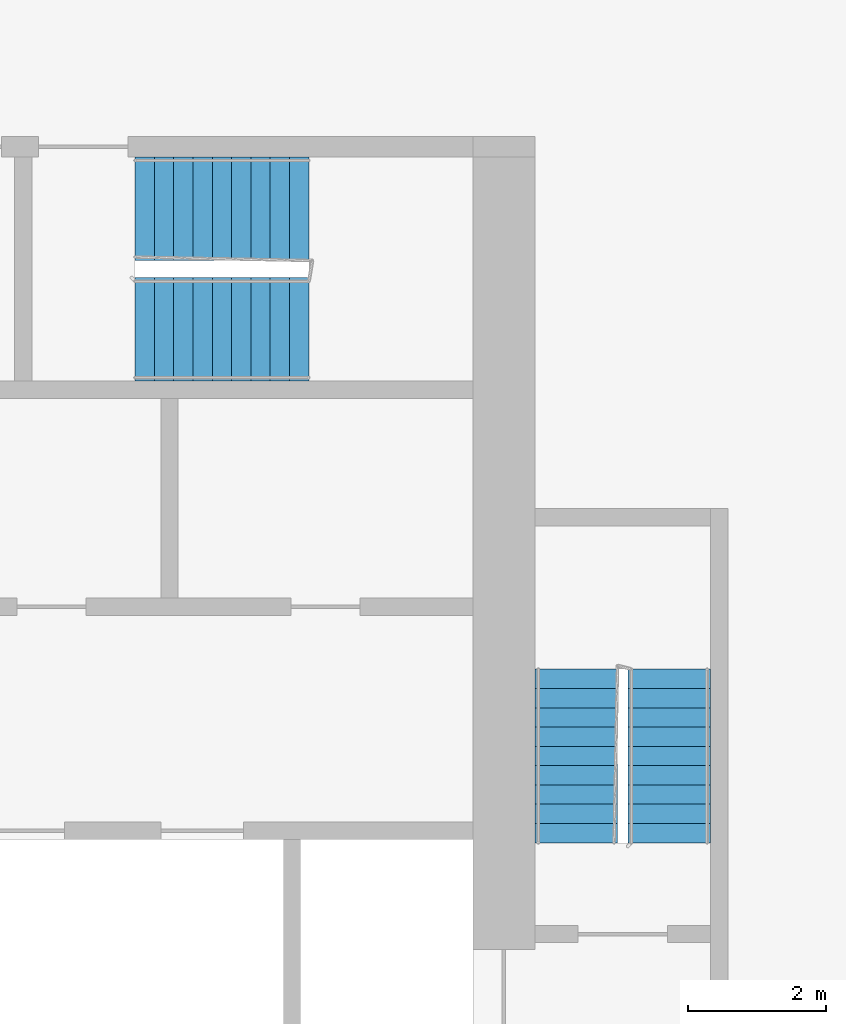
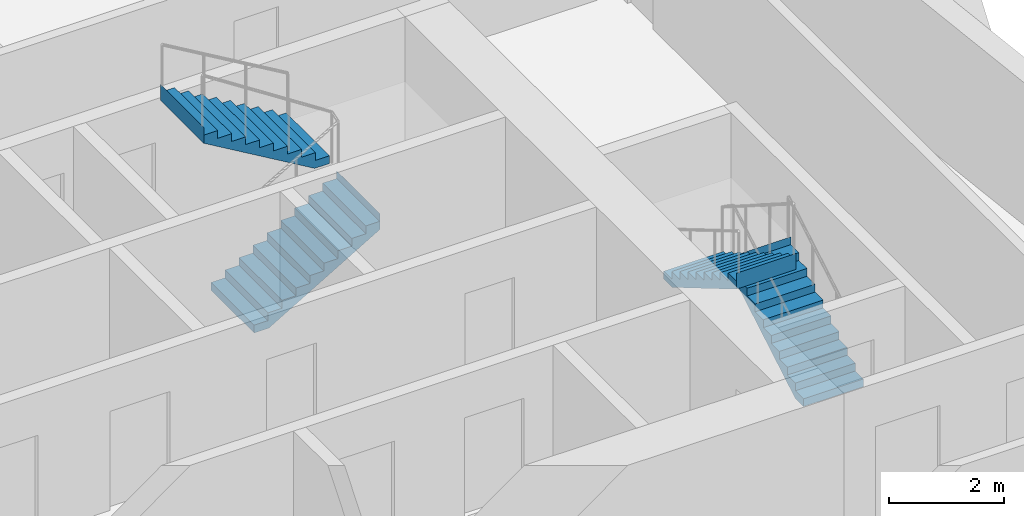
# One storey, part 11 of 13: 4 stair flights, 2 elements without a shape of their own.
"""IFC4 building model written with IfcOpenShell, lengths in metres."""

from ifc_helpers import new_model, si_unit, direction, frame, origin, place, context, subcontext, project, spatial, faceted_brep, material, type_object, element, aggregate, save


model = new_model("IFC4")

# Units and contexts
model_context = context("Model", 3, precision=1e-05, world=origin(), true_north=direction((0.0, 1.0)))
body_context = subcontext(model_context, "Body", "Model", "MODEL_VIEW")
ifc_project = project(units=[si_unit("LENGTHUNIT", "METRE"), si_unit("AREAUNIT", "SQUARE_METRE"), si_unit("VOLUMEUNIT", "CUBIC_METRE"), si_unit("PLANEANGLEUNIT", "RADIAN"), si_unit("MASSUNIT", "GRAM", prefix="KILO")], contexts=[model_context])

# Site, building, storey
site_placement = place(None, origin())
site = spatial("IfcSite", under=ifc_project, at=site_placement, CompositionType="ELEMENT")
building_placement = place(site_placement, origin())
building = spatial("IfcBuilding", under=site, at=building_placement, Name="Kajstack Hotel Tower", CompositionType="ELEMENT")
storey_placement = place(building_placement, frame((0.0, 0.0, 166.89990234375)))
storey = spatial("IfcBuildingStorey", under=building, at=storey_placement, Name="L38", CompositionType="ELEMENT", Elevation=166.89990234375)

# Stair, stair flights
ifc_material = material(Name="Concrete C40/50", Category="concrete")
stair_type_1 = type_object("IfcStairType", Name="Exit stair 1200", PredefinedType="HALF_TURN_STAIR", material=ifc_material)
stair_1_placement = place(storey_placement, origin())
stair_1 = element("IfcStair", 1, at=stair_1_placement, inside=storey, type_object=stair_type_1, Name="L38 stair E1", PredefinedType="HALF_TURN_STAIR")
stair_flight_type_1 = type_object("IfcStairFlightType", Name="Exit stair flight 1200", PredefinedType="STRAIGHT", material=ifc_material)
stair_flight_1_placement = place(storey_placement, frame((33.449951171875, 5.25, 0.0), z_axis=(0.0, 0.0, 1.0), x_axis=(0.0, 1.0, 0.0)))
stair_flight_1 = element("IfcStairFlight", 2, at=stair_flight_1_placement, type_object=stair_flight_type_1, Name="E1 flight 1", NumberOfRisers=10, NumberOfTreads=9, PredefinedType="STRAIGHT", RiserHeight=0.165, TreadLength=0.28, context=body_context, shape_type="Brep", body=[
    faceted_brep([(0.295654296875, -0.60009765625, 0.0), (2.5205078125, -0.60009765625, 1.31103515625), (2.5205078125, -0.60009765625, 1.64990234375), (2.52001953125, -0.60009765625, 1.64990234375), (2.52001953125, -0.60009765625, 1.485107421875), (2.239990234375, -0.60009765625, 1.485107421875), (2.239990234375, -0.60009765625, 1.320068359375), (1.9599609375, -0.60009765625, 1.320068359375), (1.9599609375, -0.60009765625, 1.155029296875), (1.679931640625, -0.60009765625, 1.155029296875), (1.679931640625, -0.60009765625, 0.989990234375), (1.39990234375, -0.60009765625, 0.989990234375), (1.39990234375, -0.60009765625, 0.824951171875), (1.1201171875, -0.60009765625, 0.824951171875), (1.1201171875, -0.60009765625, 0.659912109375), (0.840087890625, -0.60009765625, 0.659912109375), (0.840087890625, -0.60009765625, 0.4951171875), (0.56005859375, -0.60009765625, 0.4951171875), (0.56005859375, -0.60009765625, 0.330078125), (0.280029296875, -0.60009765625, 0.330078125), (0.280029296875, -0.60009765625, 0.1650390625), (-0.00048828125, -0.60009765625, 0.1650390625), (-0.00048828125, -0.60009765625, 0.0), (-0.00048828125, 0.60009765625, 0.0), (-0.00048828125, 0.60009765625, 0.1650390625), (0.280029296875, 0.60009765625, 0.1650390625), (0.280029296875, 0.60009765625, 0.330078125), (0.56005859375, 0.60009765625, 0.330078125), (0.56005859375, 0.60009765625, 0.4951171875), (0.840087890625, 0.60009765625, 0.4951171875), (0.840087890625, 0.60009765625, 0.659912109375), (1.1201171875, 0.60009765625, 0.659912109375), (1.1201171875, 0.60009765625, 0.824951171875), (1.39990234375, 0.60009765625, 0.824951171875), (1.39990234375, 0.60009765625, 0.989990234375), (1.679931640625, 0.60009765625, 0.989990234375), (1.679931640625, 0.60009765625, 1.155029296875), (1.9599609375, 0.60009765625, 1.155029296875), (1.9599609375, 0.60009765625, 1.320068359375), (2.239990234375, 0.60009765625, 1.320068359375), (2.239990234375, 0.60009765625, 1.485107421875), (2.52001953125, 0.60009765625, 1.485107421875), (2.52001953125, 0.60009765625, 1.64990234375), (2.5205078125, 0.60009765625, 1.64990234375), (2.5205078125, 0.60009765625, 1.31103515625), (0.295654296875, 0.60009765625, 0.0), (-0.00048828125, -0.300048828125, 0.1650390625), (-0.00048828125, 0.0, 0.1650390625), (-0.00048828125, 0.300048828125, 0.1650390625), (-0.00048828125, 0.300048828125, 0.0), (-0.00048828125, 0.0, 0.0), (-0.00048828125, -0.300048828125, 0.0), (0.280029296875, -0.300048828125, 0.1650390625), (0.280029296875, 0.0, 0.1650390625), (0.280029296875, 0.300048828125, 0.1650390625), (0.280029296875, -0.300048828125, 0.330078125), (0.280029296875, 0.0, 0.330078125), (0.280029296875, 0.300048828125, 0.330078125), (0.56005859375, -0.300048828125, 0.330078125), (0.56005859375, 0.0, 0.330078125), (0.56005859375, 0.300048828125, 0.330078125), (0.56005859375, -0.300048828125, 0.4951171875), (0.56005859375, 0.0, 0.4951171875), (0.56005859375, 0.300048828125, 0.4951171875), (0.840087890625, -0.300048828125, 0.4951171875), (0.840087890625, 0.0, 0.4951171875), (0.840087890625, 0.300048828125, 0.4951171875), (0.840087890625, -0.300048828125, 0.659912109375), (0.840087890625, 0.0, 0.659912109375), (0.840087890625, 0.300048828125, 0.659912109375), (1.1201171875, -0.300048828125, 0.659912109375), (1.1201171875, 0.0, 0.659912109375), (1.1201171875, 0.300048828125, 0.659912109375), (1.1201171875, -0.300048828125, 0.824951171875), (1.1201171875, 0.0, 0.824951171875), (1.1201171875, 0.300048828125, 0.824951171875), (1.39990234375, -0.300048828125, 0.824951171875), (1.39990234375, 0.0, 0.824951171875), (1.39990234375, 0.300048828125, 0.824951171875), (1.39990234375, -0.300048828125, 0.989990234375), (1.39990234375, 0.0, 0.989990234375), (1.39990234375, 0.300048828125, 0.989990234375), (1.679931640625, -0.300048828125, 0.989990234375), (1.679931640625, 0.0, 0.989990234375), (1.679931640625, 0.300048828125, 0.989990234375), (1.679931640625, -0.300048828125, 1.155029296875), (1.679931640625, 0.0, 1.155029296875), (1.679931640625, 0.300048828125, 1.155029296875), (1.9599609375, -0.300048828125, 1.155029296875), (1.9599609375, 0.0, 1.155029296875), (1.9599609375, 0.300048828125, 1.155029296875), (1.9599609375, -0.300048828125, 1.320068359375), (1.9599609375, 0.0, 1.320068359375), (1.9599609375, 0.300048828125, 1.320068359375), (2.239990234375, -0.300048828125, 1.320068359375), (2.239990234375, 0.0, 1.320068359375), (2.239990234375, 0.300048828125, 1.320068359375), (2.239990234375, -0.300048828125, 1.485107421875), (2.239990234375, 0.0, 1.485107421875), (2.239990234375, 0.300048828125, 1.485107421875), (2.52001953125, -0.300048828125, 1.485107421875), (2.52001953125, 0.0, 1.485107421875), (2.52001953125, 0.300048828125, 1.485107421875), (2.52001953125, -0.300048828125, 1.64990234375), (2.52001953125, 0.0, 1.64990234375), (2.52001953125, 0.300048828125, 1.64990234375), (2.5205078125, -0.300048828125, 1.64990234375), (2.5205078125, 0.0, 1.64990234375), (2.5205078125, 0.300048828125, 1.64990234375), (2.5205078125, -0.300048828125, 1.31103515625), (2.5205078125, 0.0, 1.31103515625), (2.5205078125, 0.300048828125, 1.31103515625), (0.295654296875, -0.300048828125, 0.0), (0.295654296875, 0.0, 0.0), (0.295654296875, 0.300048828125, 0.0)], [[[0, 1, 2, 3, 4, 5, 6, 7, 8, 9, 10, 11, 12, 13, 14, 15, 16, 17, 18, 19, 20, 21, 22]], [[23, 24, 25, 26, 27, 28, 29, 30, 31, 32, 33, 34, 35, 36, 37, 38, 39, 40, 41, 42, 43, 44, 45]], [[21, 46, 47, 48, 24, 23, 49, 50, 51, 22]], [[20, 52, 53, 54, 25, 24, 48, 47, 46, 21]], [[19, 55, 56, 57, 26, 25, 54, 53, 52, 20]], [[18, 58, 59, 60, 27, 26, 57, 56, 55, 19]], [[17, 61, 62, 63, 28, 27, 60, 59, 58, 18]], [[16, 64, 65, 66, 29, 28, 63, 62, 61, 17]], [[15, 67, 68, 69, 30, 29, 66, 65, 64, 16]], [[14, 70, 71, 72, 31, 30, 69, 68, 67, 15]], [[13, 73, 74, 75, 32, 31, 72, 71, 70, 14]], [[12, 76, 77, 78, 33, 32, 75, 74, 73, 13]], [[11, 79, 80, 81, 34, 33, 78, 77, 76, 12]], [[10, 82, 83, 84, 35, 34, 81, 80, 79, 11]], [[9, 85, 86, 87, 36, 35, 84, 83, 82, 10]], [[8, 88, 89, 90, 37, 36, 87, 86, 85, 9]], [[7, 91, 92, 93, 38, 37, 90, 89, 88, 8]], [[6, 94, 95, 96, 39, 38, 93, 92, 91, 7]], [[5, 97, 98, 99, 40, 39, 96, 95, 94, 6]], [[4, 100, 101, 102, 41, 40, 99, 98, 97, 5]], [[3, 103, 104, 105, 42, 41, 102, 101, 100, 4]], [[2, 106, 107, 108, 43, 42, 105, 104, 103, 3]], [[1, 109, 110, 111, 44, 43, 108, 107, 106, 2]], [[0, 112, 113, 114, 45, 44, 111, 110, 109, 1]], [[22, 51, 50, 49, 23, 45, 114, 113, 112, 0]]]),
])
stair_flight_2_placement = place(storey_placement, frame((32.10009765625, 7.77001953125, 1.650146484375), z_axis=(0.0, 0.0, 1.0), x_axis=(0.0, -1.0, 0.0)))
stair_flight_2 = element("IfcStairFlight", 3, at=stair_flight_2_placement, type_object=stair_flight_type_1, Name="E1 flight 2", NumberOfRisers=10, NumberOfTreads=9, PredefinedType="STRAIGHT", RiserHeight=0.165, TreadLength=0.28, context=body_context, shape_type="Brep", body=[
    faceted_brep([(0.295654296875, -0.60009765625, 0.0), (2.5205078125, -0.60009765625, 1.31103515625), (2.5205078125, -0.60009765625, 1.64990234375), (2.52001953125, -0.60009765625, 1.64990234375), (2.52001953125, -0.60009765625, 1.485107421875), (2.239990234375, -0.60009765625, 1.485107421875), (2.239990234375, -0.60009765625, 1.320068359375), (1.9599609375, -0.60009765625, 1.320068359375), (1.9599609375, -0.60009765625, 1.155029296875), (1.679931640625, -0.60009765625, 1.155029296875), (1.679931640625, -0.60009765625, 0.989990234375), (1.39990234375, -0.60009765625, 0.989990234375), (1.39990234375, -0.60009765625, 0.824951171875), (1.1201171875, -0.60009765625, 0.824951171875), (1.1201171875, -0.60009765625, 0.659912109375), (0.840087890625, -0.60009765625, 0.659912109375), (0.840087890625, -0.60009765625, 0.4951171875), (0.56005859375, -0.60009765625, 0.4951171875), (0.56005859375, -0.60009765625, 0.330078125), (0.280029296875, -0.60009765625, 0.330078125), (0.280029296875, -0.60009765625, 0.1650390625), (-0.00048828125, -0.60009765625, 0.1650390625), (-0.00048828125, -0.60009765625, 0.0), (-0.00048828125, 0.60009765625, 0.0), (-0.00048828125, 0.60009765625, 0.1650390625), (0.280029296875, 0.60009765625, 0.1650390625), (0.280029296875, 0.60009765625, 0.330078125), (0.56005859375, 0.60009765625, 0.330078125), (0.56005859375, 0.60009765625, 0.4951171875), (0.840087890625, 0.60009765625, 0.4951171875), (0.840087890625, 0.60009765625, 0.659912109375), (1.1201171875, 0.60009765625, 0.659912109375), (1.1201171875, 0.60009765625, 0.824951171875), (1.39990234375, 0.60009765625, 0.824951171875), (1.39990234375, 0.60009765625, 0.989990234375), (1.679931640625, 0.60009765625, 0.989990234375), (1.679931640625, 0.60009765625, 1.155029296875), (1.9599609375, 0.60009765625, 1.155029296875), (1.9599609375, 0.60009765625, 1.320068359375), (2.239990234375, 0.60009765625, 1.320068359375), (2.239990234375, 0.60009765625, 1.485107421875), (2.52001953125, 0.60009765625, 1.485107421875), (2.52001953125, 0.60009765625, 1.64990234375), (2.5205078125, 0.60009765625, 1.64990234375), (2.5205078125, 0.60009765625, 1.31103515625), (0.295654296875, 0.60009765625, 0.0), (-0.00048828125, -0.300048828125, 0.1650390625), (-0.00048828125, 0.0, 0.1650390625), (-0.00048828125, 0.300048828125, 0.1650390625), (-0.00048828125, 0.300048828125, 0.0), (-0.00048828125, 0.0, 0.0), (-0.00048828125, -0.300048828125, 0.0), (0.280029296875, -0.300048828125, 0.1650390625), (0.280029296875, 0.0, 0.1650390625), (0.280029296875, 0.300048828125, 0.1650390625), (0.280029296875, -0.300048828125, 0.330078125), (0.280029296875, 0.0, 0.330078125), (0.280029296875, 0.300048828125, 0.330078125), (0.56005859375, -0.300048828125, 0.330078125), (0.56005859375, 0.0, 0.330078125), (0.56005859375, 0.300048828125, 0.330078125), (0.56005859375, -0.300048828125, 0.4951171875), (0.56005859375, 0.0, 0.4951171875), (0.56005859375, 0.300048828125, 0.4951171875), (0.840087890625, -0.300048828125, 0.4951171875), (0.840087890625, 0.0, 0.4951171875), (0.840087890625, 0.300048828125, 0.4951171875), (0.840087890625, -0.300048828125, 0.659912109375), (0.840087890625, 0.0, 0.659912109375), (0.840087890625, 0.300048828125, 0.659912109375), (1.1201171875, -0.300048828125, 0.659912109375), (1.1201171875, 0.0, 0.659912109375), (1.1201171875, 0.300048828125, 0.659912109375), (1.1201171875, -0.300048828125, 0.824951171875), (1.1201171875, 0.0, 0.824951171875), (1.1201171875, 0.300048828125, 0.824951171875), (1.39990234375, -0.300048828125, 0.824951171875), (1.39990234375, 0.0, 0.824951171875), (1.39990234375, 0.300048828125, 0.824951171875), (1.39990234375, -0.300048828125, 0.989990234375), (1.39990234375, 0.0, 0.989990234375), (1.39990234375, 0.300048828125, 0.989990234375), (1.679931640625, -0.300048828125, 0.989990234375), (1.679931640625, 0.0, 0.989990234375), (1.679931640625, 0.300048828125, 0.989990234375), (1.679931640625, -0.300048828125, 1.155029296875), (1.679931640625, 0.0, 1.155029296875), (1.679931640625, 0.300048828125, 1.155029296875), (1.9599609375, -0.300048828125, 1.155029296875), (1.9599609375, 0.0, 1.155029296875), (1.9599609375, 0.300048828125, 1.155029296875), (1.9599609375, -0.300048828125, 1.320068359375), (1.9599609375, 0.0, 1.320068359375), (1.9599609375, 0.300048828125, 1.320068359375), (2.239990234375, -0.300048828125, 1.320068359375), (2.239990234375, 0.0, 1.320068359375), (2.239990234375, 0.300048828125, 1.320068359375), (2.239990234375, -0.300048828125, 1.485107421875), (2.239990234375, 0.0, 1.485107421875), (2.239990234375, 0.300048828125, 1.485107421875), (2.52001953125, -0.300048828125, 1.485107421875), (2.52001953125, 0.0, 1.485107421875), (2.52001953125, 0.300048828125, 1.485107421875), (2.52001953125, -0.300048828125, 1.64990234375), (2.52001953125, 0.0, 1.64990234375), (2.52001953125, 0.300048828125, 1.64990234375), (2.5205078125, -0.300048828125, 1.64990234375), (2.5205078125, 0.0, 1.64990234375), (2.5205078125, 0.300048828125, 1.64990234375), (2.5205078125, -0.300048828125, 1.31103515625), (2.5205078125, 0.0, 1.31103515625), (2.5205078125, 0.300048828125, 1.31103515625), (0.295654296875, -0.300048828125, 0.0), (0.295654296875, 0.0, 0.0), (0.295654296875, 0.300048828125, 0.0)], [[[0, 1, 2, 3, 4, 5, 6, 7, 8, 9, 10, 11, 12, 13, 14, 15, 16, 17, 18, 19, 20, 21, 22]], [[23, 24, 25, 26, 27, 28, 29, 30, 31, 32, 33, 34, 35, 36, 37, 38, 39, 40, 41, 42, 43, 44, 45]], [[21, 46, 47, 48, 24, 23, 49, 50, 51, 22]], [[20, 52, 53, 54, 25, 24, 48, 47, 46, 21]], [[19, 55, 56, 57, 26, 25, 54, 53, 52, 20]], [[18, 58, 59, 60, 27, 26, 57, 56, 55, 19]], [[17, 61, 62, 63, 28, 27, 60, 59, 58, 18]], [[16, 64, 65, 66, 29, 28, 63, 62, 61, 17]], [[15, 67, 68, 69, 30, 29, 66, 65, 64, 16]], [[14, 70, 71, 72, 31, 30, 69, 68, 67, 15]], [[13, 73, 74, 75, 32, 31, 72, 71, 70, 14]], [[12, 76, 77, 78, 33, 32, 75, 74, 73, 13]], [[11, 79, 80, 81, 34, 33, 78, 77, 76, 12]], [[10, 82, 83, 84, 35, 34, 81, 80, 79, 11]], [[9, 85, 86, 87, 36, 35, 84, 83, 82, 10]], [[8, 88, 89, 90, 37, 36, 87, 86, 85, 9]], [[7, 91, 92, 93, 38, 37, 90, 89, 88, 8]], [[6, 94, 95, 96, 39, 38, 93, 92, 91, 7]], [[5, 97, 98, 99, 40, 39, 96, 95, 94, 6]], [[4, 100, 101, 102, 41, 40, 99, 98, 97, 5]], [[3, 103, 104, 105, 42, 41, 102, 101, 100, 4]], [[2, 106, 107, 108, 43, 42, 105, 104, 103, 3]], [[1, 109, 110, 111, 44, 43, 108, 107, 106, 2]], [[0, 112, 113, 114, 45, 44, 111, 110, 109, 1]], [[22, 51, 50, 49, 23, 45, 114, 113, 112, 0]]]),
])
aggregate(stair_1, [stair_flight_1, stair_flight_2])

stair_type_2 = type_object("IfcStairType", Name="Exit stair 1500", PredefinedType="HALF_TURN_STAIR", material=ifc_material)
stair_2_placement = place(storey_placement, origin())
stair_2 = element("IfcStair", 4, at=stair_2_placement, inside=storey, type_object=stair_type_2, Name="L38 stair E3", PredefinedType="HALF_TURN_STAIR")
stair_flight_type_2 = type_object("IfcStairFlightType", Name="Exit stair flight 1500", PredefinedType="STRAIGHT", material=ifc_material)
stair_flight_3_placement = place(storey_placement, frame((25.699951171875, 12.699951171875, 0.0), z_axis=(0.0, 0.0, 1.0), x_axis=(1.0, 0.0, 0.0)))
stair_flight_3 = element("IfcStairFlight", 5, at=stair_flight_3_placement, type_object=stair_flight_type_2, Name="E3 flight 1", NumberOfRisers=10, NumberOfTreads=9, PredefinedType="STRAIGHT", RiserHeight=0.165, TreadLength=0.28, context=body_context, shape_type="Brep", body=[
    faceted_brep([(0.295654296875, -0.75, 0.0), (2.5205078125, -0.75, 1.31103515625), (2.5205078125, -0.75, 1.64990234375), (2.52001953125, -0.75, 1.64990234375), (2.52001953125, -0.75, 1.485107421875), (2.239990234375, -0.75, 1.485107421875), (2.239990234375, -0.75, 1.320068359375), (1.9599609375, -0.75, 1.320068359375), (1.9599609375, -0.75, 1.155029296875), (1.679931640625, -0.75, 1.155029296875), (1.679931640625, -0.75, 0.989990234375), (1.39990234375, -0.75, 0.989990234375), (1.39990234375, -0.75, 0.824951171875), (1.1201171875, -0.75, 0.824951171875), (1.1201171875, -0.75, 0.659912109375), (0.840087890625, -0.75, 0.659912109375), (0.840087890625, -0.75, 0.4951171875), (0.56005859375, -0.75, 0.4951171875), (0.56005859375, -0.75, 0.330078125), (0.280029296875, -0.75, 0.330078125), (0.280029296875, -0.75, 0.1650390625), (-0.00048828125, -0.75, 0.1650390625), (-0.00048828125, -0.75, 0.0), (-0.00048828125, 0.75, 0.0), (-0.00048828125, 0.75, 0.1650390625), (0.280029296875, 0.75, 0.1650390625), (0.280029296875, 0.75, 0.330078125), (0.56005859375, 0.75, 0.330078125), (0.56005859375, 0.75, 0.4951171875), (0.840087890625, 0.75, 0.4951171875), (0.840087890625, 0.75, 0.659912109375), (1.1201171875, 0.75, 0.659912109375), (1.1201171875, 0.75, 0.824951171875), (1.39990234375, 0.75, 0.824951171875), (1.39990234375, 0.75, 0.989990234375), (1.679931640625, 0.75, 0.989990234375), (1.679931640625, 0.75, 1.155029296875), (1.9599609375, 0.75, 1.155029296875), (1.9599609375, 0.75, 1.320068359375), (2.239990234375, 0.75, 1.320068359375), (2.239990234375, 0.75, 1.485107421875), (2.52001953125, 0.75, 1.485107421875), (2.52001953125, 0.75, 1.64990234375), (2.5205078125, 0.75, 1.64990234375), (2.5205078125, 0.75, 1.31103515625), (0.295654296875, 0.75, 0.0), (-0.00048828125, -0.375, 0.1650390625), (-0.00048828125, 0.0, 0.1650390625), (-0.00048828125, 0.375, 0.1650390625), (-0.00048828125, 0.375, 0.0), (-0.00048828125, 0.0, 0.0), (-0.00048828125, -0.375, 0.0), (0.280029296875, -0.375, 0.1650390625), (0.280029296875, 0.0, 0.1650390625), (0.280029296875, 0.375, 0.1650390625), (0.280029296875, -0.375, 0.330078125), (0.280029296875, 0.0, 0.330078125), (0.280029296875, 0.375, 0.330078125), (0.56005859375, -0.375, 0.330078125), (0.56005859375, 0.0, 0.330078125), (0.56005859375, 0.375, 0.330078125), (0.56005859375, -0.375, 0.4951171875), (0.56005859375, 0.0, 0.4951171875), (0.56005859375, 0.375, 0.4951171875), (0.840087890625, -0.375, 0.4951171875), (0.840087890625, 0.0, 0.4951171875), (0.840087890625, 0.375, 0.4951171875), (0.840087890625, -0.375, 0.659912109375), (0.840087890625, 0.0, 0.659912109375), (0.840087890625, 0.375, 0.659912109375), (1.1201171875, -0.375, 0.659912109375), (1.1201171875, 0.0, 0.659912109375), (1.1201171875, 0.375, 0.659912109375), (1.1201171875, -0.375, 0.824951171875), (1.1201171875, 0.0, 0.824951171875), (1.1201171875, 0.375, 0.824951171875), (1.39990234375, -0.375, 0.824951171875), (1.39990234375, 0.0, 0.824951171875), (1.39990234375, 0.375, 0.824951171875), (1.39990234375, -0.375, 0.989990234375), (1.39990234375, 0.0, 0.989990234375), (1.39990234375, 0.375, 0.989990234375), (1.679931640625, -0.375, 0.989990234375), (1.679931640625, 0.0, 0.989990234375), (1.679931640625, 0.375, 0.989990234375), (1.679931640625, -0.375, 1.155029296875), (1.679931640625, 0.0, 1.155029296875), (1.679931640625, 0.375, 1.155029296875), (1.9599609375, -0.375, 1.155029296875), (1.9599609375, 0.0, 1.155029296875), (1.9599609375, 0.375, 1.155029296875), (1.9599609375, -0.375, 1.320068359375), (1.9599609375, 0.0, 1.320068359375), (1.9599609375, 0.375, 1.320068359375), (2.239990234375, -0.375, 1.320068359375), (2.239990234375, 0.0, 1.320068359375), (2.239990234375, 0.375, 1.320068359375), (2.239990234375, -0.375, 1.485107421875), (2.239990234375, 0.0, 1.485107421875), (2.239990234375, 0.375, 1.485107421875), (2.52001953125, -0.375, 1.485107421875), (2.52001953125, 0.0, 1.485107421875), (2.52001953125, 0.375, 1.485107421875), (2.52001953125, -0.375, 1.64990234375), (2.52001953125, 0.0, 1.64990234375), (2.52001953125, 0.375, 1.64990234375), (2.5205078125, -0.375, 1.64990234375), (2.5205078125, 0.0, 1.64990234375), (2.5205078125, 0.375, 1.64990234375), (2.5205078125, -0.375, 1.31103515625), (2.5205078125, 0.0, 1.31103515625), (2.5205078125, 0.375, 1.31103515625), (0.295654296875, -0.375, 0.0), (0.295654296875, 0.0, 0.0), (0.295654296875, 0.375, 0.0)], [[[0, 1, 2, 3, 4, 5, 6, 7, 8, 9, 10, 11, 12, 13, 14, 15, 16, 17, 18, 19, 20, 21, 22]], [[23, 24, 25, 26, 27, 28, 29, 30, 31, 32, 33, 34, 35, 36, 37, 38, 39, 40, 41, 42, 43, 44, 45]], [[21, 46, 47, 48, 24, 23, 49, 50, 51, 22]], [[20, 52, 53, 54, 25, 24, 48, 47, 46, 21]], [[19, 55, 56, 57, 26, 25, 54, 53, 52, 20]], [[18, 58, 59, 60, 27, 26, 57, 56, 55, 19]], [[17, 61, 62, 63, 28, 27, 60, 59, 58, 18]], [[16, 64, 65, 66, 29, 28, 63, 62, 61, 17]], [[15, 67, 68, 69, 30, 29, 66, 65, 64, 16]], [[14, 70, 71, 72, 31, 30, 69, 68, 67, 15]], [[13, 73, 74, 75, 32, 31, 72, 71, 70, 14]], [[12, 76, 77, 78, 33, 32, 75, 74, 73, 13]], [[11, 79, 80, 81, 34, 33, 78, 77, 76, 12]], [[10, 82, 83, 84, 35, 34, 81, 80, 79, 11]], [[9, 85, 86, 87, 36, 35, 84, 83, 82, 10]], [[8, 88, 89, 90, 37, 36, 87, 86, 85, 9]], [[7, 91, 92, 93, 38, 37, 90, 89, 88, 8]], [[6, 94, 95, 96, 39, 38, 93, 92, 91, 7]], [[5, 97, 98, 99, 40, 39, 96, 95, 94, 6]], [[4, 100, 101, 102, 41, 40, 99, 98, 97, 5]], [[3, 103, 104, 105, 42, 41, 102, 101, 100, 4]], [[2, 106, 107, 108, 43, 42, 105, 104, 103, 3]], [[1, 109, 110, 111, 44, 43, 108, 107, 106, 2]], [[0, 112, 113, 114, 45, 44, 111, 110, 109, 1]], [[22, 51, 50, 49, 23, 45, 114, 113, 112, 0]]]),
])
stair_flight_4_placement = place(storey_placement, frame((28.219970703125, 14.449951171875, 1.650146484375), z_axis=(0.0, 0.0, 1.0), x_axis=(-1.0, 0.0, 0.0)))
stair_flight_4 = element("IfcStairFlight", 6, at=stair_flight_4_placement, type_object=stair_flight_type_2, Name="E3 flight 2", NumberOfRisers=10, NumberOfTreads=9, PredefinedType="STRAIGHT", RiserHeight=0.165, TreadLength=0.28, context=body_context, shape_type="Brep", body=[
    faceted_brep([(0.295654296875, -0.75, 0.0), (2.5205078125, -0.75, 1.31103515625), (2.5205078125, -0.75, 1.64990234375), (2.52001953125, -0.75, 1.64990234375), (2.52001953125, -0.75, 1.485107421875), (2.239990234375, -0.75, 1.485107421875), (2.239990234375, -0.75, 1.320068359375), (1.9599609375, -0.75, 1.320068359375), (1.9599609375, -0.75, 1.155029296875), (1.679931640625, -0.75, 1.155029296875), (1.679931640625, -0.75, 0.989990234375), (1.39990234375, -0.75, 0.989990234375), (1.39990234375, -0.75, 0.824951171875), (1.1201171875, -0.75, 0.824951171875), (1.1201171875, -0.75, 0.659912109375), (0.840087890625, -0.75, 0.659912109375), (0.840087890625, -0.75, 0.4951171875), (0.56005859375, -0.75, 0.4951171875), (0.56005859375, -0.75, 0.330078125), (0.280029296875, -0.75, 0.330078125), (0.280029296875, -0.75, 0.1650390625), (-0.00048828125, -0.75, 0.1650390625), (-0.00048828125, -0.75, 0.0), (-0.00048828125, 0.75, 0.0), (-0.00048828125, 0.75, 0.1650390625), (0.280029296875, 0.75, 0.1650390625), (0.280029296875, 0.75, 0.330078125), (0.56005859375, 0.75, 0.330078125), (0.56005859375, 0.75, 0.4951171875), (0.840087890625, 0.75, 0.4951171875), (0.840087890625, 0.75, 0.659912109375), (1.1201171875, 0.75, 0.659912109375), (1.1201171875, 0.75, 0.824951171875), (1.39990234375, 0.75, 0.824951171875), (1.39990234375, 0.75, 0.989990234375), (1.679931640625, 0.75, 0.989990234375), (1.679931640625, 0.75, 1.155029296875), (1.9599609375, 0.75, 1.155029296875), (1.9599609375, 0.75, 1.320068359375), (2.239990234375, 0.75, 1.320068359375), (2.239990234375, 0.75, 1.485107421875), (2.52001953125, 0.75, 1.485107421875), (2.52001953125, 0.75, 1.64990234375), (2.5205078125, 0.75, 1.64990234375), (2.5205078125, 0.75, 1.31103515625), (0.295654296875, 0.75, 0.0), (-0.00048828125, -0.375, 0.1650390625), (-0.00048828125, 0.0, 0.1650390625), (-0.00048828125, 0.375, 0.1650390625), (-0.00048828125, 0.375, 0.0), (-0.00048828125, 0.0, 0.0), (-0.00048828125, -0.375, 0.0), (0.280029296875, -0.375, 0.1650390625), (0.280029296875, 0.0, 0.1650390625), (0.280029296875, 0.375, 0.1650390625), (0.280029296875, -0.375, 0.330078125), (0.280029296875, 0.0, 0.330078125), (0.280029296875, 0.375, 0.330078125), (0.56005859375, -0.375, 0.330078125), (0.56005859375, 0.0, 0.330078125), (0.56005859375, 0.375, 0.330078125), (0.56005859375, -0.375, 0.4951171875), (0.56005859375, 0.0, 0.4951171875), (0.56005859375, 0.375, 0.4951171875), (0.840087890625, -0.375, 0.4951171875), (0.840087890625, 0.0, 0.4951171875), (0.840087890625, 0.375, 0.4951171875), (0.840087890625, -0.375, 0.659912109375), (0.840087890625, 0.0, 0.659912109375), (0.840087890625, 0.375, 0.659912109375), (1.1201171875, -0.375, 0.659912109375), (1.1201171875, 0.0, 0.659912109375), (1.1201171875, 0.375, 0.659912109375), (1.1201171875, -0.375, 0.824951171875), (1.1201171875, 0.0, 0.824951171875), (1.1201171875, 0.375, 0.824951171875), (1.39990234375, -0.375, 0.824951171875), (1.39990234375, 0.0, 0.824951171875), (1.39990234375, 0.375, 0.824951171875), (1.39990234375, -0.375, 0.989990234375), (1.39990234375, 0.0, 0.989990234375), (1.39990234375, 0.375, 0.989990234375), (1.679931640625, -0.375, 0.989990234375), (1.679931640625, 0.0, 0.989990234375), (1.679931640625, 0.375, 0.989990234375), (1.679931640625, -0.375, 1.155029296875), (1.679931640625, 0.0, 1.155029296875), (1.679931640625, 0.375, 1.155029296875), (1.9599609375, -0.375, 1.155029296875), (1.9599609375, 0.0, 1.155029296875), (1.9599609375, 0.375, 1.155029296875), (1.9599609375, -0.375, 1.320068359375), (1.9599609375, 0.0, 1.320068359375), (1.9599609375, 0.375, 1.320068359375), (2.239990234375, -0.375, 1.320068359375), (2.239990234375, 0.0, 1.320068359375), (2.239990234375, 0.375, 1.320068359375), (2.239990234375, -0.375, 1.485107421875), (2.239990234375, 0.0, 1.485107421875), (2.239990234375, 0.375, 1.485107421875), (2.52001953125, -0.375, 1.485107421875), (2.52001953125, 0.0, 1.485107421875), (2.52001953125, 0.375, 1.485107421875), (2.52001953125, -0.375, 1.64990234375), (2.52001953125, 0.0, 1.64990234375), (2.52001953125, 0.375, 1.64990234375), (2.5205078125, -0.375, 1.64990234375), (2.5205078125, 0.0, 1.64990234375), (2.5205078125, 0.375, 1.64990234375), (2.5205078125, -0.375, 1.31103515625), (2.5205078125, 0.0, 1.31103515625), (2.5205078125, 0.375, 1.31103515625), (0.295654296875, -0.375, 0.0), (0.295654296875, 0.0, 0.0), (0.295654296875, 0.375, 0.0)], [[[0, 1, 2, 3, 4, 5, 6, 7, 8, 9, 10, 11, 12, 13, 14, 15, 16, 17, 18, 19, 20, 21, 22]], [[23, 24, 25, 26, 27, 28, 29, 30, 31, 32, 33, 34, 35, 36, 37, 38, 39, 40, 41, 42, 43, 44, 45]], [[21, 46, 47, 48, 24, 23, 49, 50, 51, 22]], [[20, 52, 53, 54, 25, 24, 48, 47, 46, 21]], [[19, 55, 56, 57, 26, 25, 54, 53, 52, 20]], [[18, 58, 59, 60, 27, 26, 57, 56, 55, 19]], [[17, 61, 62, 63, 28, 27, 60, 59, 58, 18]], [[16, 64, 65, 66, 29, 28, 63, 62, 61, 17]], [[15, 67, 68, 69, 30, 29, 66, 65, 64, 16]], [[14, 70, 71, 72, 31, 30, 69, 68, 67, 15]], [[13, 73, 74, 75, 32, 31, 72, 71, 70, 14]], [[12, 76, 77, 78, 33, 32, 75, 74, 73, 13]], [[11, 79, 80, 81, 34, 33, 78, 77, 76, 12]], [[10, 82, 83, 84, 35, 34, 81, 80, 79, 11]], [[9, 85, 86, 87, 36, 35, 84, 83, 82, 10]], [[8, 88, 89, 90, 37, 36, 87, 86, 85, 9]], [[7, 91, 92, 93, 38, 37, 90, 89, 88, 8]], [[6, 94, 95, 96, 39, 38, 93, 92, 91, 7]], [[5, 97, 98, 99, 40, 39, 96, 95, 94, 6]], [[4, 100, 101, 102, 41, 40, 99, 98, 97, 5]], [[3, 103, 104, 105, 42, 41, 102, 101, 100, 4]], [[2, 106, 107, 108, 43, 42, 105, 104, 103, 3]], [[1, 109, 110, 111, 44, 43, 108, 107, 106, 2]], [[0, 112, 113, 114, 45, 44, 111, 110, 109, 1]], [[22, 51, 50, 49, 23, 45, 114, 113, 112, 0]]]),
])
aggregate(stair_2, [stair_flight_3, stair_flight_4])

save(model, "model.ifc")
